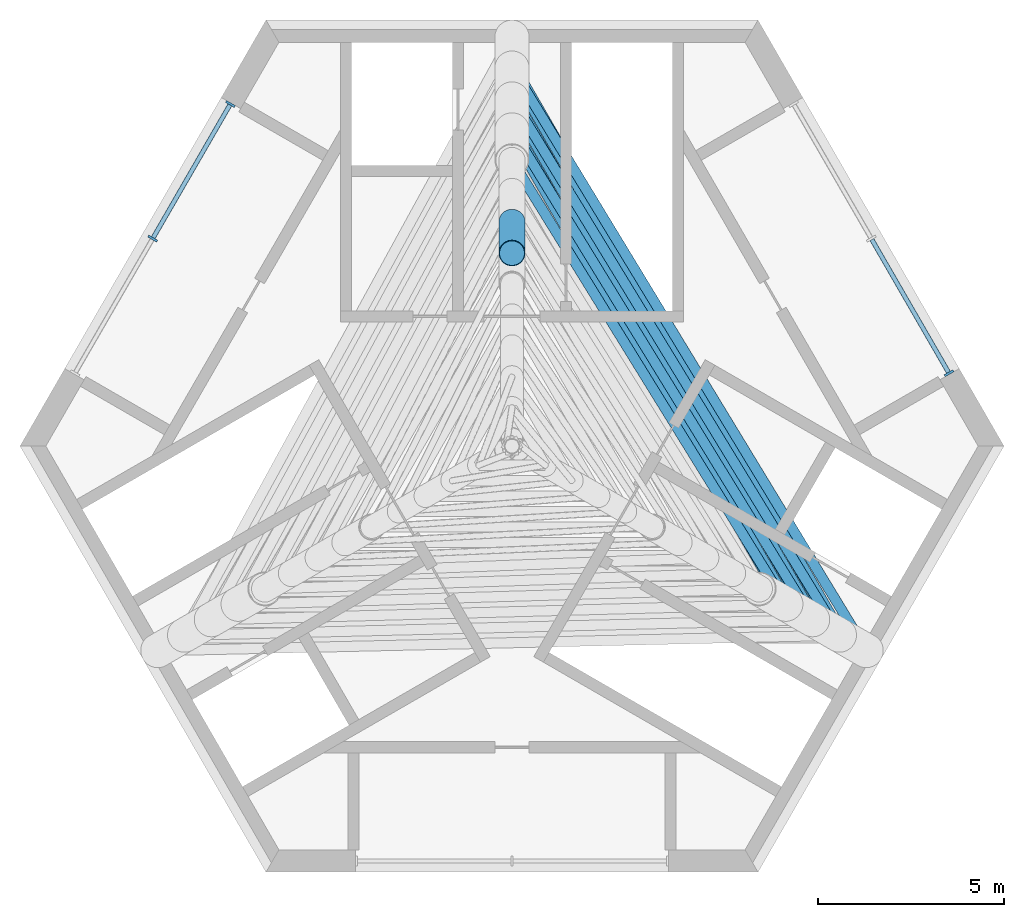
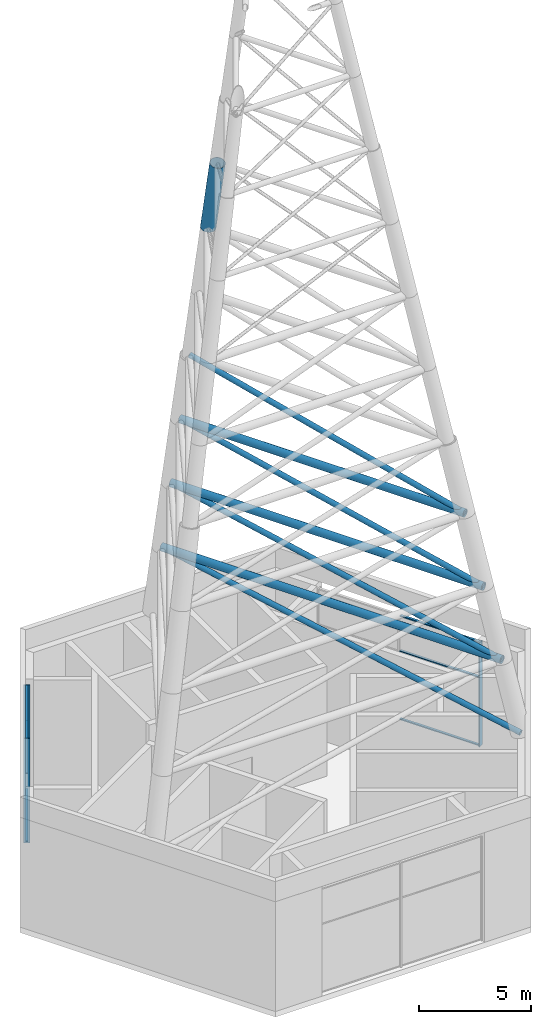
# One storey, part 6 of 10: 17 members, 2 elements without a shape of their own.
"""IFC4 building model written with IfcOpenShell, lengths in metres."""

from ifc_helpers import new_model, si_unit, direction, frame, origin, origin_2d, place, context, subcontext, project, spatial, rectangle, hollow_circle, extrude, material, material_profile, profile_set, type_object, element, aggregate, save


model = new_model("IFC4")

# Units and contexts
model_context = context("Model", 3, precision=1e-05, world=origin(), true_north=direction((0.0, 1.0)))
body_context = subcontext(model_context, "Body", "Model", "MODEL_VIEW")
ifc_project = project(units=[si_unit("LENGTHUNIT", "METRE"), si_unit("AREAUNIT", "SQUARE_METRE"), si_unit("VOLUMEUNIT", "CUBIC_METRE"), si_unit("PLANEANGLEUNIT", "RADIAN"), si_unit("MASSUNIT", "GRAM", prefix="KILO")], contexts=[model_context])

# Site, building, storey
site_placement = place(None, origin())
site = spatial("IfcSite", under=ifc_project, at=site_placement, CompositionType="ELEMENT")
building_placement = place(site_placement, origin())
building = spatial("IfcBuilding", under=site, at=building_placement, Name="Impinga Residences", CompositionType="ELEMENT")
storey_placement = place(building_placement, frame((0.0, 0.0, 301.75)))
storey = spatial("IfcBuildingStorey", under=building, at=storey_placement, Name="L75", CompositionType="ELEMENT", Elevation=301.75)

# Curtain wall, member
ifc_material_1 = material(Name="Aluminium stick curtain wall", Category="aluminium")
curtain_wall_type = type_object("IfcCurtainWallType", Name="CW4 plant floor louvred curtain wall", PredefinedType="USERDEFINED", material=ifc_material_1)
curtain_wall_1_placement = place(storey_placement, origin())
curtain_wall_1 = element("IfcCurtainWall", 1, at=curtain_wall_1_placement, inside=storey, type_object=curtain_wall_type, Name="Curtain wall CW4 L75", ObjectType="STICK CURTAIN WALL", PredefinedType="USERDEFINED")
ifc_material_2 = material(Name="Aluminium mullion", Category="aluminium")
ifc_material_profile_1 = material_profile(ifc_material_2, rectangle(XDim=0.06005859375, YDim=0.27490234375, at=origin_2d()), Name="60x275 mullion")
ifc_profile_set_1 = profile_set([ifc_material_profile_1], Name="Aluminium mullion")
member_type_1 = type_object("IfcMemberType", Name="CW4-M mullion 60x275", PredefinedType="MULLION", material=ifc_profile_set_1)
member_1_placement = place(storey_placement, frame((11.72509765625, 1.954345703125, 0.0), z_axis=(0.0, 0.0, 1.0), x_axis=(-0.500000020194, 0.866025392126, 0.0)))
member_1 = element("IfcMember", 2, at=member_1_placement, type_object=member_type_1, Name="CW4 mullion 1", PredefinedType="MULLION", context=body_context, shape_type="SweptSolid", body=[
    extrude(rectangle(XDim=0.06005859375, YDim=0.27490234375, at=origin_2d()), origin(), (0.0, 0.0, 1.0), 5.699951171875),
])

# Curtain wall, members
curtain_wall_2_placement = place(storey_placement, origin())
curtain_wall_2 = element("IfcCurtainWall", 3, at=curtain_wall_2_placement, inside=storey, type_object=curtain_wall_type, Name="Curtain wall CW4 L75", ObjectType="STICK CURTAIN WALL", PredefinedType="USERDEFINED")
member_2_placement = place(storey_placement, frame((-7.55517578125, 9.177001953125, 0.0), z_axis=(0.0, 0.0, 1.0), x_axis=(-0.500000020194, -0.866025392126, 0.0)))
member_2 = element("IfcMember", 4, at=member_2_placement, type_object=member_type_1, Name="CW4 mullion 1", PredefinedType="MULLION", context=body_context, shape_type="SweptSolid", body=[
    extrude(rectangle(XDim=0.06005859375, YDim=0.27490234375, at=origin_2d()), origin(), (0.0, 0.0, 1.0), 5.699951171875),
])
member_3_placement = place(storey_placement, frame((-9.64013671875, 5.565673828125, 0.0), z_axis=(0.0, 0.0, 1.0), x_axis=(-0.500000020194, -0.866025392126, 0.0)))
member_3 = element("IfcMember", 5, at=member_3_placement, type_object=member_type_1, Name="CW4 mullion 2", PredefinedType="MULLION", context=body_context, shape_type="SweptSolid", body=[
    extrude(rectangle(XDim=0.06005859375, YDim=0.27490234375, at=origin_2d()), origin(), (0.0, 0.0, 1.0), 5.699951171875),
])

# Member
ifc_material_3 = material(Name="Aluminium transom", Category="aluminium")
ifc_material_profile_2 = material_profile(ifc_material_3, rectangle(XDim=0.06005859375, YDim=0.1201171875, at=origin_2d()), Name="60x120 transom")
ifc_profile_set_2 = profile_set([ifc_material_profile_2], Name="Aluminium transom")
member_type_2 = type_object("IfcMemberType", Name="CW4-T transom 60x120", PredefinedType="USERDEFINED", material=ifc_profile_set_2)
member_4_placement = place(storey_placement, frame((11.710205078125, 1.98046875, 0.030029296875), z_axis=(-0.499991554064, 0.866030279993, 0.0), x_axis=(0.0, 0.0, 1.0)))
member_4 = element("IfcMember", 6, at=member_4_placement, type_object=member_type_2, Name="CW4 transom 1.1", ObjectType="TRANSOM", PredefinedType="USERDEFINED", context=body_context, shape_type="SweptSolid", body=[
    extrude(rectangle(XDim=0.06005859375, YDim=0.1201171875, at=origin_2d()), origin(), (0.0, 0.0, 1.0), 4.10986328125),
])

member_5_placement = place(storey_placement, frame((11.710205078125, 1.98046875, 3.75), z_axis=(-0.499991554064, 0.866030279993, 0.0), x_axis=(0.0, 0.0, 1.0)))
member_5 = element("IfcMember", 7, at=member_5_placement, type_object=member_type_2, Name="CW4 transom 1.2", ObjectType="TRANSOM", PredefinedType="USERDEFINED", context=body_context, shape_type="SweptSolid", body=[
    extrude(rectangle(XDim=0.06005859375, YDim=0.1201171875, at=origin_2d()), origin(), (0.0, 0.0, 1.0), 4.10986328125),
])

member_6_placement = place(storey_placement, frame((11.710205078125, 1.98046875, 5.669921875), z_axis=(-0.499991554064, 0.866030279993, 0.0), x_axis=(0.0, 0.0, 1.0)))
member_6 = element("IfcMember", 8, at=member_6_placement, type_object=member_type_2, Name="CW4 transom 1.3", ObjectType="TRANSOM", PredefinedType="USERDEFINED", context=body_context, shape_type="SweptSolid", body=[
    extrude(rectangle(XDim=0.06005859375, YDim=0.1201171875, at=origin_2d()), origin(), (0.0, 0.0, 1.0), 4.10986328125),
])

aggregate(curtain_wall_1, [member_1, member_4, member_5, member_6])

member_7_placement = place(storey_placement, frame((-7.5703125, 9.151123046875, 0.030029296875), z_axis=(-0.499991554064, -0.866030279993, 0.0), x_axis=(0.0, 0.0, 1.0)))
member_7 = element("IfcMember", 9, at=member_7_placement, type_object=member_type_2, Name="CW4 transom 1.1", ObjectType="TRANSOM", PredefinedType="USERDEFINED", context=body_context, shape_type="SweptSolid", body=[
    extrude(rectangle(XDim=0.06005859375, YDim=0.1201171875, at=origin_2d()), origin(), (0.0, 0.0, 1.0), 4.10986328125),
])

member_8_placement = place(storey_placement, frame((-7.5703125, 9.151123046875, 3.75), z_axis=(-0.499991554064, -0.866030279993, 0.0), x_axis=(0.0, 0.0, 1.0)))
member_8 = element("IfcMember", 10, at=member_8_placement, type_object=member_type_2, Name="CW4 transom 1.2", ObjectType="TRANSOM", PredefinedType="USERDEFINED", context=body_context, shape_type="SweptSolid", body=[
    extrude(rectangle(XDim=0.06005859375, YDim=0.1201171875, at=origin_2d()), origin(), (0.0, 0.0, 1.0), 4.10986328125),
])

member_9_placement = place(storey_placement, frame((-7.5703125, 9.151123046875, 5.669921875), z_axis=(-0.499991554064, -0.866030279993, 0.0), x_axis=(0.0, 0.0, 1.0)))
member_9 = element("IfcMember", 11, at=member_9_placement, type_object=member_type_2, Name="CW4 transom 1.3", ObjectType="TRANSOM", PredefinedType="USERDEFINED", context=body_context, shape_type="SweptSolid", body=[
    extrude(rectangle(XDim=0.06005859375, YDim=0.1201171875, at=origin_2d()), origin(), (0.0, 0.0, 1.0), 4.10986328125),
])

aggregate(curtain_wall_2, [member_2, member_3, member_7, member_8, member_9])

# Members
ifc_material_4 = material(Name="Steel S355J2H", Category="steel")
ifc_material_profile_3 = material_profile(ifc_material_4, hollow_circle(Radius=0.35546875, WallThickness=0.02001953125, at=origin_2d()), Name="CHS 711x20")
ifc_profile_set_3 = profile_set([ifc_material_profile_3], Name="Steel S355J2H")
member_type_3 = type_object("IfcMemberType", Name="SP2 SPIRE CHS 711x20", PredefinedType="MEMBER", material=ifc_profile_set_3)
member_10_placement = place(storey_placement, frame((0.0, 6.00537109375, 30.0), z_axis=(0.0, -0.203018619263, 0.979174877247), x_axis=(1.0, 0.0, 0.0)))
element("IfcMember", 12, at=member_10_placement, inside=storey, type_object=member_type_3, Name="SPIRE leg N panel 7", PredefinedType="MEMBER", context=body_context, shape_type="SweptSolid", body=[
    extrude(hollow_circle(Radius=0.35546875, WallThickness=0.02001953125, at=origin_2d()), origin(), (0.0, 0.0, 1.0), 4.0849609375),
])
ifc_material_profile_4 = material_profile(ifc_material_4, hollow_circle(Radius=0.203125, WallThickness=0.012451171875, at=origin_2d()), Name="CHS 406.4x12.5")
ifc_profile_set_4 = profile_set([ifc_material_profile_4], Name="Steel S355J2H")
member_type_4 = type_object("IfcMemberType", Name="SP4 SPIRE CHS 406.4x12.5", PredefinedType="MEMBER", material=ifc_profile_set_4)
member_11_placement = place(storey_placement, frame((8.7919921875, -5.076171875, 10.0), z_axis=(-0.499997677443, 0.866026744709, 0.0), x_axis=(-0.866026744709, -0.499997677443, 0.0)))
element("IfcMember", 13, at=member_11_placement, inside=storey, type_object=member_type_4, Name="SPIRE ring E-N panel 1", PredefinedType="MEMBER", context=body_context, shape_type="SweptSolid", body=[
    extrude(hollow_circle(Radius=0.203125, WallThickness=0.012451171875, at=origin_2d()), origin(), (0.0, 0.0, 1.0), 17.583984375),
])
member_12_placement = place(storey_placement, frame((8.07373046875, -4.661376953125, 14.0), z_axis=(-0.499999477598, 0.866025705393, 0.0), x_axis=(-0.866025705393, -0.499999477598, 0.0)))
element("IfcMember", 14, at=member_12_placement, inside=storey, type_object=member_type_4, Name="SPIRE ring E-N panel 2", PredefinedType="MEMBER", context=body_context, shape_type="SweptSolid", body=[
    extrude(hollow_circle(Radius=0.203125, WallThickness=0.012451171875, at=origin_2d()), origin(), (0.0, 0.0, 1.0), 16.1474609375),
])
member_13_placement = place(storey_placement, frame((7.35546875, -4.246826171875, 18.0), z_axis=(-0.499994443168, 0.866028611999, 0.0), x_axis=(-0.866028611999, -0.499994443168, 0.0)))
element("IfcMember", 15, at=member_13_placement, inside=storey, type_object=member_type_4, Name="SPIRE ring E-N panel 3", PredefinedType="MEMBER", context=body_context, shape_type="SweptSolid", body=[
    extrude(hollow_circle(Radius=0.203125, WallThickness=0.012451171875, at=origin_2d()), origin(), (0.0, 0.0, 1.0), 14.711181640625),
])
ifc_material_profile_5 = material_profile(ifc_material_4, hollow_circle(Radius=0.136474609375, WallThickness=0.010009765625, at=origin_2d()), Name="CHS 273x10")
ifc_profile_set_5 = profile_set([ifc_material_profile_5], Name="Steel S355J2H")
member_type_5 = type_object("IfcMemberType", Name="SP5 SPIRE CHS 273x10", PredefinedType="BRACE", material=ifc_profile_set_5)
member_14_placement = place(storey_placement, frame((9.51025390625, -5.49072265625, 6.0), z_axis=(-0.507516559299, 0.834782268932, 0.213460782142), x_axis=(-0.854476557673, -0.519489954077, 0.0)))
element("IfcMember", 16, at=member_14_placement, inside=storey, type_object=member_type_5, Name="SPIRE diagonal E-N panel 1", PredefinedType="BRACE", context=body_context, shape_type="SweptSolid", body=[
    extrude(hollow_circle(Radius=0.136474609375, WallThickness=0.010009765625, at=origin_2d()), origin(), (0.0, 0.0, 1.0), 18.73876953125),
])
member_15_placement = place(storey_placement, frame((8.7919921875, -5.076171875, 10.0), z_axis=(-0.507075283641, 0.830453351066, 0.23069869619), x_axis=(-0.853475654693, -0.521132715195, 0.0)))
element("IfcMember", 17, at=member_15_placement, inside=storey, type_object=member_type_5, Name="SPIRE diagonal E-N panel 2", PredefinedType="BRACE", context=body_context, shape_type="SweptSolid", body=[
    extrude(hollow_circle(Radius=0.136474609375, WallThickness=0.010009765625, at=origin_2d()), origin(), (0.0, 0.0, 1.0), 17.338623046875),
])
member_16_placement = place(storey_placement, frame((8.07373046875, -4.661376953125, 14.0), z_axis=(-0.506358217075, 0.825025505062, 0.250867040476), x_axis=(-0.852280098616, -0.523085684667, 0.0)))
element("IfcMember", 18, at=member_16_placement, inside=storey, type_object=member_type_5, Name="SPIRE diagonal E-N panel 3", PredefinedType="BRACE", context=body_context, shape_type="SweptSolid", body=[
    extrude(hollow_circle(Radius=0.136474609375, WallThickness=0.010009765625, at=origin_2d()), origin(), (0.0, 0.0, 1.0), 15.944580078125),
])
member_17_placement = place(storey_placement, frame((7.35546875, -4.246826171875, 18.0), z_axis=(-0.505208805958, 0.818096853965, 0.274739148859), x_axis=(-0.85083812729, -0.525427902904, 0.0)))
element("IfcMember", 19, at=member_17_placement, inside=storey, type_object=member_type_5, Name="SPIRE diagonal E-N panel 4", PredefinedType="BRACE", context=body_context, shape_type="SweptSolid", body=[
    extrude(hollow_circle(Radius=0.136474609375, WallThickness=0.010009765625, at=origin_2d()), origin(), (0.0, 0.0, 1.0), 14.559326171875),
])

save(model, "model.ifc")
